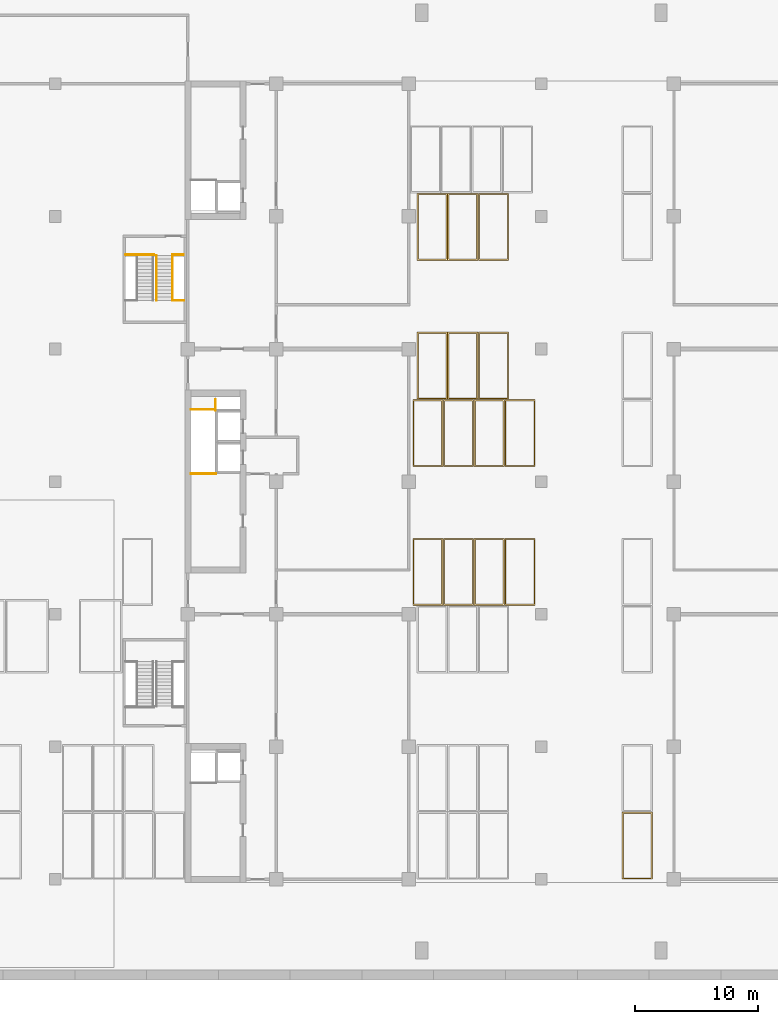
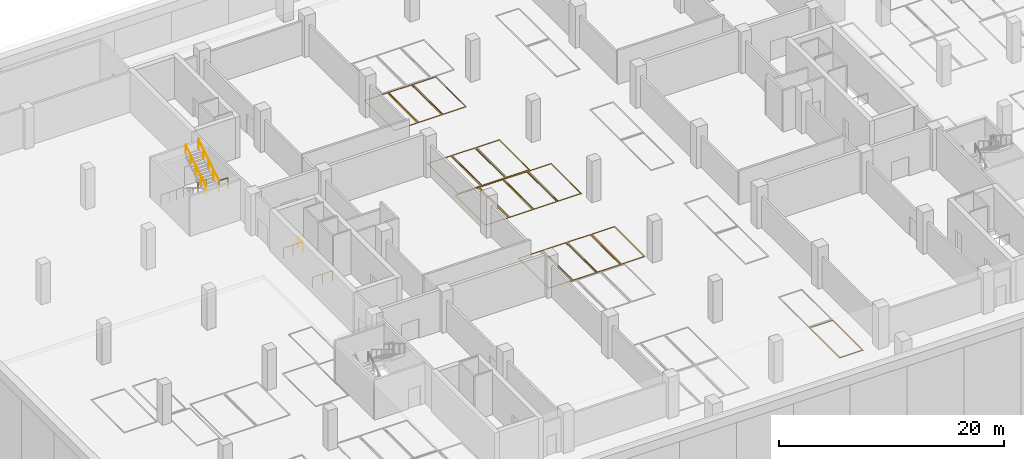
# One storey, part 12 of 18: 15 coverings, 9 railings.
"""IFC4 building model written with IfcOpenShell, lengths in metres."""

from ifc_helpers import new_model, si_unit, direction, frame, origin, origin_2d, place, context, subcontext, project, spatial, polyline, circle, outline, extrude, material, layer, layer_set, type_object, element, save


model = new_model("IFC4")

# Units and contexts
model_context = context("Model", 3, precision=1e-05, world=origin(), true_north=direction((0.0, 1.0)))
body_context = subcontext(model_context, "Body", "Model", "MODEL_VIEW")
ifc_project = project(units=[si_unit("LENGTHUNIT", "METRE"), si_unit("AREAUNIT", "SQUARE_METRE"), si_unit("VOLUMEUNIT", "CUBIC_METRE"), si_unit("PLANEANGLEUNIT", "RADIAN"), si_unit("MASSUNIT", "GRAM", prefix="KILO")], contexts=[model_context])

# Site, building, storey
site_placement = place(None, origin())
site = spatial("IfcSite", under=ifc_project, at=site_placement, CompositionType="ELEMENT")
building_placement = place(site_placement, origin())
building = spatial("IfcBuilding", under=site, at=building_placement, Name="Basin Gate Institute", CompositionType="ELEMENT")
storey_placement = place(building_placement, frame((0.0, 0.0, -4.800048828125)))
storey = spatial("IfcBuildingStorey", under=building, at=storey_placement, Name="B1", CompositionType="ELEMENT", Elevation=-4.800048828125)

# Railings
ifc_material_1 = material(Name="Galvanised steel tube and mesh infill", Category="steel")
railing_type_1 = type_object("IfcRailingType", Name="Duct opening guard RL-D", PredefinedType="GUARDRAIL", material=ifc_material_1)
railing_1_placement = place(storey_placement, frame((61.449951171875, 68.139892578125, 0.0)))
element("IfcRailing", 1, at=railing_1_placement, inside=storey, type_object=railing_type_1, material=ifc_material_1, Name="Riser opening guard RL-D WM A", PredefinedType="GUARDRAIL", context=body_context, shape_type="SweptSolid", body=[
    extrude(circle(Radius=0.02392578125, at=origin_2d()), frame((0.0, 0.0, 1.076171875), z_axis=(1.0, 0.0, 0.0), x_axis=(0.0, 1.0, 0.0)), (0.0, 0.0, 1.0), 2.050048828125),
    extrude(circle(Radius=0.02099609375, at=origin_2d()), origin(), (0.0, 0.0, 1.0), 1.052001953125),
    extrude(circle(Radius=0.02099609375, at=origin_2d()), frame((1.02490234375, 0.0, 0.0)), (0.0, 0.0, 1.0), 1.052001953125),
    extrude(circle(Radius=0.02099609375, at=origin_2d()), frame((2.050048828125, 0.0, 0.0)), (0.0, 0.0, 1.0), 1.052001953125),
])
railing_2_placement = place(storey_placement, frame((61.449951171875, 73.360107421875, 0.0)))
element("IfcRailing", 2, at=railing_2_placement, inside=storey, type_object=railing_type_1, material=ifc_material_1, Name="Riser opening guard RL-D WM N", PredefinedType="GUARDRAIL", context=body_context, shape_type="SweptSolid", body=[
    extrude(circle(Radius=0.02392578125, at=origin_2d()), frame((0.0, 0.0, 1.076171875), z_axis=(1.0, 0.0, 0.0), x_axis=(0.0, 1.0, 0.0)), (0.0, 0.0, 1.0), 1.989990234375),
    extrude(circle(Radius=0.02099609375, at=origin_2d()), origin(), (0.0, 0.0, 1.0), 1.052001953125),
    extrude(circle(Radius=0.02099609375, at=origin_2d()), frame((0.9951171875, 0.0, 0.0)), (0.0, 0.0, 1.0), 1.052001953125),
    extrude(circle(Radius=0.02099609375, at=origin_2d()), frame((1.989990234375, 0.0, 0.0)), (0.0, 0.0, 1.0), 1.052001953125),
])
railing_3_placement = place(storey_placement, frame((63.43994140625, 73.300048828125, 0.0)))
element("IfcRailing", 3, at=railing_3_placement, inside=storey, type_object=railing_type_1, material=ifc_material_1, Name="Riser opening guard RL-D WM W", PredefinedType="GUARDRAIL", context=body_context, shape_type="SweptSolid", body=[
    extrude(circle(Radius=0.02392578125, at=origin_2d()), frame((0.0, 0.0, 1.076171875), z_axis=(0.0, 1.0, 0.0), x_axis=(-1.0, 0.0, 0.0)), (0.0, 0.0, 1.0), 0.89990234375),
    extrude(circle(Radius=0.02099609375, at=origin_2d()), origin(), (0.0, 0.0, 1.0), 1.052001953125),
    extrude(circle(Radius=0.02099609375, at=origin_2d()), frame((0.0, 0.89990234375, 0.0)), (0.0, 0.0, 1.0), 1.052001953125),
])

# Coverings
ifc_material_2 = material(Name="Road marking paint, white")
ifc_layer = layer(ifc_material_2, 0.010009765625)
ifc_layer_set = layer_set([ifc_layer], Name="Parking bay marking PM1")
covering_type = type_object("IfcCoveringType", Name="Parking bay marking PM1", PredefinedType="FLOORING", material=ifc_layer_set)
covering_1_placement = place(storey_placement, origin())
element("IfcCovering", 4, at=covering_1_placement, inside=storey, type_object=covering_type, material=ifc_layer_set, Name="Parking bay marking B1-03 43", PredefinedType="FLOORING", context=body_context, shape_type="SweptSolid", body=[
    extrude(outline(polyline([(96.570068359375, 35.1201171875), (99.030029296875, 35.1201171875), (99.030029296875, 40.580078125), (96.570068359375, 40.580078125), (96.570068359375, 35.1201171875)]), holes=[polyline([(96.669921875, 35.219970703125), (98.929931640625, 35.219970703125), (98.929931640625, 40.47998046875), (96.669921875, 40.47998046875), (96.669921875, 35.219970703125)])]), origin(), (0.0, 0.0, 1.0), 0.010009765625),
])
covering_2_placement = place(storey_placement, origin())
element("IfcCovering", 5, at=covering_2_placement, inside=storey, type_object=covering_type, material=ifc_layer_set, Name="Parking bay marking B1-02 60", PredefinedType="FLOORING", context=body_context, shape_type="SweptSolid", body=[
    extrude(outline(polyline([(79.52001953125, 57.419921875), (81.97998046875, 57.419921875), (81.97998046875, 62.8798828125), (79.52001953125, 62.8798828125), (79.52001953125, 57.419921875)]), holes=[polyline([(79.6201171875, 57.52001953125), (81.8798828125, 57.52001953125), (81.8798828125, 62.780029296875), (79.6201171875, 62.780029296875), (79.6201171875, 57.52001953125)])]), origin(), (0.0, 0.0, 1.0), 0.010009765625),
])
covering_3_placement = place(storey_placement, origin())
element("IfcCovering", 6, at=covering_3_placement, inside=storey, type_object=covering_type, material=ifc_layer_set, Name="Parking bay marking B1-02 61", PredefinedType="FLOORING", context=body_context, shape_type="SweptSolid", body=[
    extrude(outline(polyline([(82.02001953125, 57.419921875), (84.47998046875, 57.419921875), (84.47998046875, 62.8798828125), (82.02001953125, 62.8798828125), (82.02001953125, 57.419921875)]), holes=[polyline([(82.1201171875, 57.52001953125), (84.3798828125, 57.52001953125), (84.3798828125, 62.780029296875), (82.1201171875, 62.780029296875), (82.1201171875, 57.52001953125)])]), origin(), (0.0, 0.0, 1.0), 0.010009765625),
])
covering_4_placement = place(storey_placement, origin())
element("IfcCovering", 7, at=covering_4_placement, inside=storey, type_object=covering_type, material=ifc_layer_set, Name="Parking bay marking B1-02 62", PredefinedType="FLOORING", context=body_context, shape_type="SweptSolid", body=[
    extrude(outline(polyline([(84.52001953125, 57.419921875), (86.97998046875, 57.419921875), (86.97998046875, 62.8798828125), (84.52001953125, 62.8798828125), (84.52001953125, 57.419921875)]), holes=[polyline([(84.6201171875, 57.52001953125), (86.8798828125, 57.52001953125), (86.8798828125, 62.780029296875), (84.6201171875, 62.780029296875), (84.6201171875, 57.52001953125)])]), origin(), (0.0, 0.0, 1.0), 0.010009765625),
])
covering_5_placement = place(storey_placement, origin())
element("IfcCovering", 8, at=covering_5_placement, inside=storey, type_object=covering_type, material=ifc_layer_set, Name="Parking bay marking B1-02 63", PredefinedType="FLOORING", context=body_context, shape_type="SweptSolid", body=[
    extrude(outline(polyline([(87.02001953125, 57.419921875), (89.47998046875, 57.419921875), (89.47998046875, 62.8798828125), (87.02001953125, 62.8798828125), (87.02001953125, 57.419921875)]), holes=[polyline([(87.1201171875, 57.52001953125), (89.3798828125, 57.52001953125), (89.3798828125, 62.780029296875), (87.1201171875, 62.780029296875), (87.1201171875, 57.52001953125)])]), origin(), (0.0, 0.0, 1.0), 0.010009765625),
])
covering_6_placement = place(storey_placement, origin())
element("IfcCovering", 9, at=covering_6_placement, inside=storey, type_object=covering_type, material=ifc_layer_set, Name="Parking bay marking B1-02 64", PredefinedType="FLOORING", context=body_context, shape_type="SweptSolid", body=[
    extrude(outline(polyline([(79.52001953125, 68.719970703125), (81.97998046875, 68.719970703125), (81.97998046875, 74.179931640625), (79.52001953125, 74.179931640625), (79.52001953125, 68.719970703125)]), holes=[polyline([(79.6201171875, 68.820068359375), (81.8798828125, 68.820068359375), (81.8798828125, 74.080078125), (79.6201171875, 74.080078125), (79.6201171875, 68.820068359375)])]), origin(), (0.0, 0.0, 1.0), 0.010009765625),
])
covering_7_placement = place(storey_placement, origin())
element("IfcCovering", 10, at=covering_7_placement, inside=storey, type_object=covering_type, material=ifc_layer_set, Name="Parking bay marking B1-02 65", PredefinedType="FLOORING", context=body_context, shape_type="SweptSolid", body=[
    extrude(outline(polyline([(82.02001953125, 68.719970703125), (84.47998046875, 68.719970703125), (84.47998046875, 74.179931640625), (82.02001953125, 74.179931640625), (82.02001953125, 68.719970703125)]), holes=[polyline([(82.1201171875, 68.820068359375), (84.3798828125, 68.820068359375), (84.3798828125, 74.080078125), (82.1201171875, 74.080078125), (82.1201171875, 68.820068359375)])]), origin(), (0.0, 0.0, 1.0), 0.010009765625),
])
covering_8_placement = place(storey_placement, origin())
element("IfcCovering", 11, at=covering_8_placement, inside=storey, type_object=covering_type, material=ifc_layer_set, Name="Parking bay marking B1-02 66", PredefinedType="FLOORING", context=body_context, shape_type="SweptSolid", body=[
    extrude(outline(polyline([(84.52001953125, 68.719970703125), (86.97998046875, 68.719970703125), (86.97998046875, 74.179931640625), (84.52001953125, 74.179931640625), (84.52001953125, 68.719970703125)]), holes=[polyline([(84.6201171875, 68.820068359375), (86.8798828125, 68.820068359375), (86.8798828125, 74.080078125), (84.6201171875, 74.080078125), (84.6201171875, 68.820068359375)])]), origin(), (0.0, 0.0, 1.0), 0.010009765625),
])
covering_9_placement = place(storey_placement, origin())
element("IfcCovering", 12, at=covering_9_placement, inside=storey, type_object=covering_type, material=ifc_layer_set, Name="Parking bay marking B1-02 67", PredefinedType="FLOORING", context=body_context, shape_type="SweptSolid", body=[
    extrude(outline(polyline([(87.02001953125, 68.719970703125), (89.47998046875, 68.719970703125), (89.47998046875, 74.179931640625), (87.02001953125, 74.179931640625), (87.02001953125, 68.719970703125)]), holes=[polyline([(87.1201171875, 68.820068359375), (89.3798828125, 68.820068359375), (89.3798828125, 74.080078125), (87.1201171875, 74.080078125), (87.1201171875, 68.820068359375)])]), origin(), (0.0, 0.0, 1.0), 0.010009765625),
])
covering_10_placement = place(storey_placement, origin())
element("IfcCovering", 13, at=covering_10_placement, inside=storey, type_object=covering_type, material=ifc_layer_set, Name="Parking bay marking B1-02 68", PredefinedType="FLOORING", context=body_context, shape_type="SweptSolid", body=[
    extrude(outline(polyline([(79.8701171875, 74.219970703125), (82.330078125, 74.219970703125), (82.330078125, 79.679931640625), (79.8701171875, 79.679931640625), (79.8701171875, 74.219970703125)]), holes=[polyline([(79.969970703125, 74.320068359375), (82.22998046875, 74.320068359375), (82.22998046875, 79.580078125), (79.969970703125, 79.580078125), (79.969970703125, 74.320068359375)])]), origin(), (0.0, 0.0, 1.0), 0.010009765625),
])
covering_11_placement = place(storey_placement, origin())
element("IfcCovering", 14, at=covering_11_placement, inside=storey, type_object=covering_type, material=ifc_layer_set, Name="Parking bay marking B1-02 69", PredefinedType="FLOORING", context=body_context, shape_type="SweptSolid", body=[
    extrude(outline(polyline([(82.3701171875, 74.219970703125), (84.830078125, 74.219970703125), (84.830078125, 79.679931640625), (82.3701171875, 79.679931640625), (82.3701171875, 74.219970703125)]), holes=[polyline([(82.469970703125, 74.320068359375), (84.72998046875, 74.320068359375), (84.72998046875, 79.580078125), (82.469970703125, 79.580078125), (82.469970703125, 74.320068359375)])]), origin(), (0.0, 0.0, 1.0), 0.010009765625),
])
covering_12_placement = place(storey_placement, origin())
element("IfcCovering", 15, at=covering_12_placement, inside=storey, type_object=covering_type, material=ifc_layer_set, Name="Parking bay marking B1-02 70", PredefinedType="FLOORING", context=body_context, shape_type="SweptSolid", body=[
    extrude(outline(polyline([(84.8701171875, 74.219970703125), (87.330078125, 74.219970703125), (87.330078125, 79.679931640625), (84.8701171875, 79.679931640625), (84.8701171875, 74.219970703125)]), holes=[polyline([(84.969970703125, 74.320068359375), (87.22998046875, 74.320068359375), (87.22998046875, 79.580078125), (84.969970703125, 79.580078125), (84.969970703125, 74.320068359375)])]), origin(), (0.0, 0.0, 1.0), 0.010009765625),
])
covering_13_placement = place(storey_placement, origin())
element("IfcCovering", 16, at=covering_13_placement, inside=storey, type_object=covering_type, material=ifc_layer_set, Name="Parking bay marking B1-02 71", PredefinedType="FLOORING", context=body_context, shape_type="SweptSolid", body=[
    extrude(outline(polyline([(79.8701171875, 85.52001953125), (82.330078125, 85.52001953125), (82.330078125, 90.97998046875), (79.8701171875, 90.97998046875), (79.8701171875, 85.52001953125)]), holes=[polyline([(79.969970703125, 85.6201171875), (82.22998046875, 85.6201171875), (82.22998046875, 90.8798828125), (79.969970703125, 90.8798828125), (79.969970703125, 85.6201171875)])]), origin(), (0.0, 0.0, 1.0), 0.010009765625),
])
covering_14_placement = place(storey_placement, origin())
element("IfcCovering", 17, at=covering_14_placement, inside=storey, type_object=covering_type, material=ifc_layer_set, Name="Parking bay marking B1-02 72", PredefinedType="FLOORING", context=body_context, shape_type="SweptSolid", body=[
    extrude(outline(polyline([(82.3701171875, 85.52001953125), (84.830078125, 85.52001953125), (84.830078125, 90.97998046875), (82.3701171875, 90.97998046875), (82.3701171875, 85.52001953125)]), holes=[polyline([(82.469970703125, 85.6201171875), (84.72998046875, 85.6201171875), (84.72998046875, 90.8798828125), (82.469970703125, 90.8798828125), (82.469970703125, 85.6201171875)])]), origin(), (0.0, 0.0, 1.0), 0.010009765625),
])
covering_15_placement = place(storey_placement, origin())
element("IfcCovering", 18, at=covering_15_placement, inside=storey, type_object=covering_type, material=ifc_layer_set, Name="Parking bay marking B1-02 73", PredefinedType="FLOORING", context=body_context, shape_type="SweptSolid", body=[
    extrude(outline(polyline([(84.8701171875, 85.52001953125), (87.330078125, 85.52001953125), (87.330078125, 90.97998046875), (84.8701171875, 90.97998046875), (84.8701171875, 85.52001953125)]), holes=[polyline([(84.969970703125, 85.6201171875), (87.22998046875, 85.6201171875), (87.22998046875, 90.8798828125), (84.969970703125, 90.8798828125), (84.969970703125, 85.6201171875)])]), origin(), (0.0, 0.0, 1.0), 0.010009765625),
])

# Railings
ifc_material_3 = material(Name="Stainless steel", Category="steel")
railing_type_2 = type_object("IfcRailingType", Name="Stair guard GR1", PredefinedType="GUARDRAIL", material=ifc_material_3)
railing_4_placement = place(storey_placement, frame((57.050048828125, 85.97998046875, 0.0)))
element("IfcRailing", 19, at=railing_4_placement, inside=storey, type_object=railing_type_2, material=ifc_material_3, Name="Stair guard GR1 BS2 GD4-B2", PredefinedType="GUARDRAIL", context=body_context, shape_type="SweptSolid", body=[
    extrude(circle(Radius=0.02392578125, at=origin_2d()), frame((0.0, 0.0, 1.076171875), z_axis=(1.0, 0.0, 0.0), x_axis=(0.0, 1.0, 0.0)), (0.0, 0.0, 1.0), 1.39990234375),
    extrude(circle(Radius=0.02099609375, at=origin_2d()), origin(), (0.0, 0.0, 1.0), 1.052001953125),
    extrude(circle(Radius=0.02099609375, at=origin_2d()), frame((0.699951171875, 0.0, 0.0)), (0.0, 0.0, 1.0), 1.052001953125),
    extrude(circle(Radius=0.02099609375, at=origin_2d()), frame((1.39990234375, 0.0, 0.0)), (0.0, 0.0, 1.0), 1.052001953125),
])
railing_5_placement = place(storey_placement, frame((56.1298828125, 85.97998046875, 0.0)))
element("IfcRailing", 20, at=railing_5_placement, inside=storey, type_object=railing_type_2, material=ifc_material_3, Name="Stair guard GR1 BS2 GD4b-B2", PredefinedType="GUARDRAIL", context=body_context, shape_type="SweptSolid", body=[
    extrude(circle(Radius=0.02392578125, at=origin_2d()), frame((0.0, 0.0, 1.076171875), z_axis=(1.0, 0.0, 0.0), x_axis=(0.0, 1.0, 0.0)), (0.0, 0.0, 1.0), 0.920166015625),
    extrude(circle(Radius=0.02099609375, at=origin_2d()), origin(), (0.0, 0.0, 1.0), 1.052001953125),
    extrude(circle(Radius=0.02099609375, at=origin_2d()), frame((0.920166015625, 0.0, 0.0)), (0.0, 0.0, 1.0), 1.052001953125),
])
railing_6_placement = place(storey_placement, frame((59.949951171875, 85.97998046875, 0.0)))
element("IfcRailing", 21, at=railing_6_placement, inside=storey, type_object=railing_type_2, material=ifc_material_3, Name="Stair guard GR1 BS2 GD5-B2", PredefinedType="GUARDRAIL", context=body_context, shape_type="SweptSolid", body=[
    extrude(circle(Radius=0.02392578125, at=origin_2d()), frame((0.0, 0.0, 1.076171875), z_axis=(1.0, 0.0, 0.0), x_axis=(0.0, 1.0, 0.0)), (0.0, 0.0, 1.0), 0.900146484375),
    extrude(circle(Radius=0.02099609375, at=origin_2d()), origin(), (0.0, 0.0, 1.0), 1.052001953125),
    extrude(circle(Radius=0.02099609375, at=origin_2d()), frame((0.900146484375, 0.0, 0.0)), (0.0, 0.0, 1.0), 1.052001953125),
])
railing_7_placement = place(storey_placement, frame((59.949951171875, 82.260009765625, 2.571533203125)))
element("IfcRailing", 22, at=railing_7_placement, inside=storey, type_object=railing_type_2, material=ifc_material_3, Name="Stair guard GR1 BS2 GD1", PredefinedType="GUARDRAIL", context=body_context, shape_type="SweptSolid", body=[
    extrude(circle(Radius=0.02392578125, at=origin_2d()), frame((0.0, 0.0, 1.076171875), z_axis=(0.0, 0.852850264322, 0.5221555579), x_axis=(-1.0, 0.0, 0.0)), (0.0, 0.0, 1.0), 4.267822265625),
    extrude(circle(Radius=0.02099609375, at=origin_2d()), origin(), (0.0, 0.0, 1.0), 1.052001953125),
    extrude(circle(Radius=0.02099609375, at=origin_2d()), frame((0.0, 0.909912109375, 0.55712890625)), (0.0, 0.0, 1.0), 1.052001953125),
    extrude(circle(Radius=0.02099609375, at=origin_2d()), frame((0.0, 1.81982421875, 1.1142578125)), (0.0, 0.0, 1.0), 1.052001953125),
    extrude(circle(Radius=0.02099609375, at=origin_2d()), frame((0.0, 2.72998046875, 1.67138671875)), (0.0, 0.0, 1.0), 1.052001953125),
    extrude(circle(Radius=0.02099609375, at=origin_2d()), frame((0.0, 3.639892578125, 2.228515625)), (0.0, 0.0, 1.0), 1.052001953125),
])
ifc_material_4 = material(Name="Stainless steel", Category="steel")
railing_type_3 = type_object("IfcRailingType", Name="Stair guard GR3", PredefinedType="GUARDRAIL", material=ifc_material_4)
railing_8_placement = place(storey_placement, frame((59.949951171875, 82.260009765625, 2.400146484375)))
element("IfcRailing", 23, at=railing_8_placement, inside=storey, type_object=railing_type_3, material=ifc_material_4, Name="Stair guard GR3 BS2 GD2", PredefinedType="GUARDRAIL", context=body_context, shape_type="SweptSolid", body=[
    extrude(circle(Radius=0.02392578125, at=origin_2d()), frame((0.0, 0.0, 1.1259765625), z_axis=(1.0, 0.0, 0.0), x_axis=(0.0, 1.0, 0.0)), (0.0, 0.0, 1.0), 0.920166015625),
    extrude(circle(Radius=0.02099609375, at=origin_2d()), origin(), (0.0, 0.0, 1.0), 1.101806640625),
    extrude(circle(Radius=0.02099609375, at=origin_2d()), frame((0.920166015625, 0.0, 0.0)), (0.0, 0.0, 1.0), 1.101806640625),
])
ifc_material_5 = material(Name="Stainless steel", Category="steel")
railing_type_4 = type_object("IfcRailingType", Name="Stair handrail HR1", PredefinedType="HANDRAIL", material=ifc_material_5)
railing_9_placement = place(storey_placement, frame((58.64990234375, 82.260009765625, 2.571533203125)))
element("IfcRailing", 24, at=railing_9_placement, inside=storey, type_object=railing_type_4, material=ifc_material_5, Name="Stair handrail HR1 BS2 HR3", PredefinedType="HANDRAIL", context=body_context, shape_type="SweptSolid", body=[
    extrude(circle(Radius=0.02392578125, at=origin_2d()), frame((0.0, 0.0, 0.89599609375), z_axis=(0.0, 0.852850264322, 0.5221555579), x_axis=(-1.0, 0.0, 0.0)), (0.0, 0.0, 1.0), 4.267822265625),
    extrude(circle(Radius=0.02099609375, at=origin_2d()), origin(), (0.0, 0.0, 1.0), 0.871826171875),
    extrude(circle(Radius=0.02099609375, at=origin_2d()), frame((0.0, 0.909912109375, 0.55712890625)), (0.0, 0.0, 1.0), 0.871826171875),
    extrude(circle(Radius=0.02099609375, at=origin_2d()), frame((0.0, 1.81982421875, 1.1142578125)), (0.0, 0.0, 1.0), 0.871826171875),
    extrude(circle(Radius=0.02099609375, at=origin_2d()), frame((0.0, 2.72998046875, 1.67138671875)), (0.0, 0.0, 1.0), 0.871826171875),
    extrude(circle(Radius=0.02099609375, at=origin_2d()), frame((0.0, 3.639892578125, 2.228515625)), (0.0, 0.0, 1.0), 0.871826171875),
])

save(model, "model.ifc")
